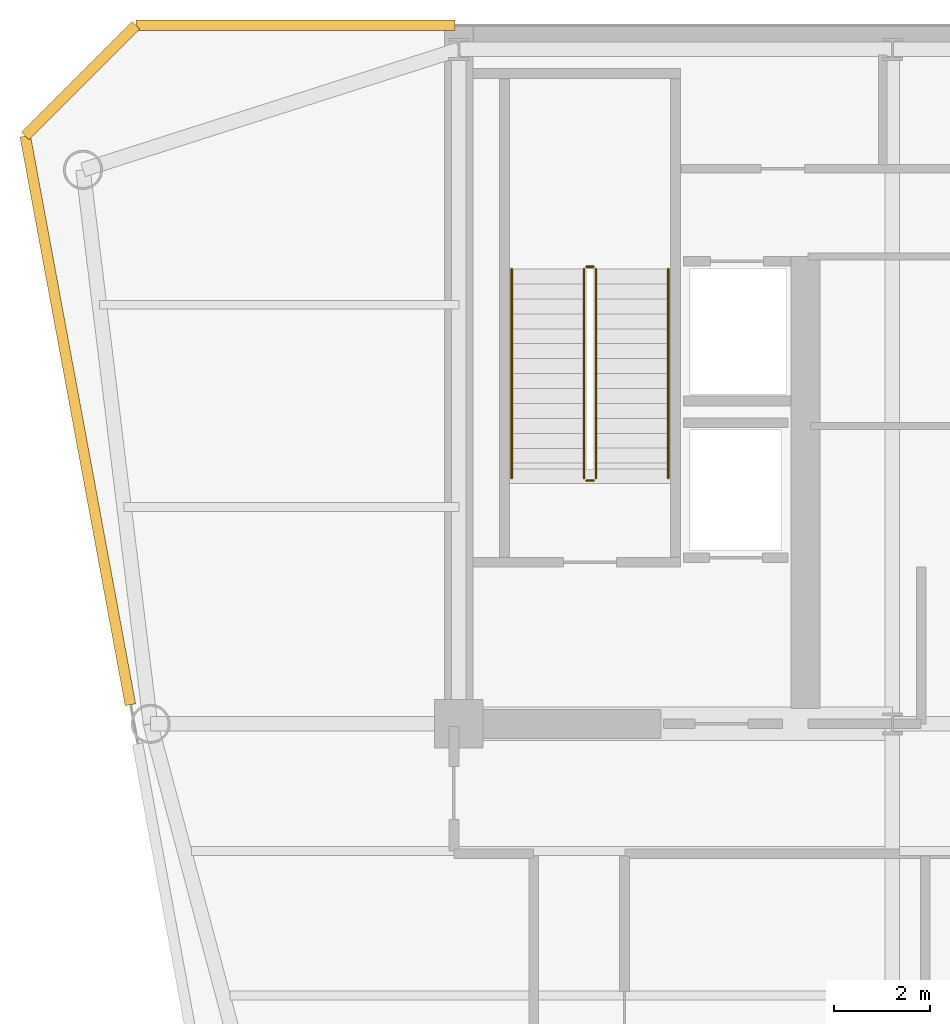
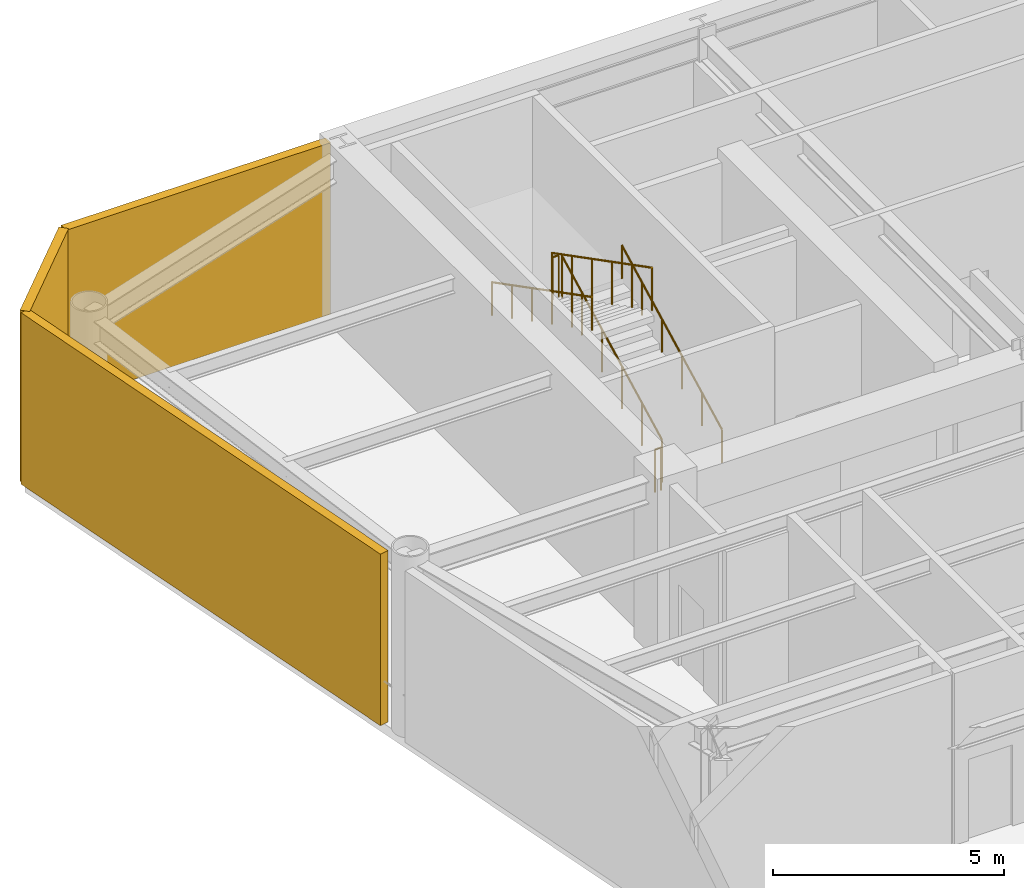
# One storey, part 8 of 9: 6 railings, 3 coverings.
"""IFC4 building model written with IfcOpenShell, lengths in metres."""

from ifc_helpers import new_model, si_unit, direction, frame, origin, origin_2d, place, context, subcontext, project, spatial, rectangle, circle, extrude, source, transform, mapped, material, layer, layer_set, type_object, element, save


model = new_model("IFC4")

# Units and contexts
model_context = context("Model", 3, precision=1e-05, world=origin(), true_north=direction((0.0, 1.0)))
body_context = subcontext(model_context, "Body", "Model", "MODEL_VIEW")
ifc_project = project(units=[si_unit("LENGTHUNIT", "METRE"), si_unit("AREAUNIT", "SQUARE_METRE"), si_unit("VOLUMEUNIT", "CUBIC_METRE"), si_unit("PLANEANGLEUNIT", "RADIAN"), si_unit("MASSUNIT", "GRAM", prefix="KILO")], contexts=[model_context])

# Site, building, storey
site_placement = place(None, origin())
site = spatial("IfcSite", under=ifc_project, at=site_placement, CompositionType="ELEMENT")
building_placement = place(site_placement, origin())
building = spatial("IfcBuilding", under=site, at=building_placement, Name="Vaeldorn Concourse Tower", CompositionType="ELEMENT")
storey_placement = place(building_placement, frame((0.0, 0.0, 218.39990234375)))
storey = spatial("IfcBuildingStorey", under=building, at=storey_placement, Name="L56", CompositionType="ELEMENT", Elevation=218.39990234375)

# Railings
ifc_material = material(Name="Anodised Bronze Aluminium", Category="aluminium")
railing_type_1 = type_object("IfcRailingType", Name="RL-STAIR-GUARD", PredefinedType="GUARDRAIL", material=ifc_material)
railing_1_placement = place(storey_placement, frame((16.85009765625, 41.60009765625, 0.16015625)))
element("IfcRailing", 1, at=railing_1_placement, inside=storey, type_object=railing_type_1, Name="L56 ST-1 stair guard 1", PredefinedType="GUARDRAIL", context=body_context, shape_type="SweptSolid", body=[
    extrude(circle(Radius=0.02392578125, at=origin_2d()), frame((0.0, 0.0, 1.1259765625), z_axis=(0.0, 0.888614742027, 0.458654379956), x_axis=(-1.0, 0.0, 0.0)), (0.0, 0.0, 1.0), 4.8837890625),
    extrude(circle(Radius=0.02099609375, at=origin_2d()), origin(), (0.0, 0.0, 1.0), 1.101806640625),
    extrude(circle(Radius=0.02099609375, at=origin_2d()), frame((0.0, 0.867919921875, 0.447998046875)), (0.0, 0.0, 1.0), 1.101806640625),
    extrude(circle(Radius=0.02099609375, at=origin_2d()), frame((0.0, 1.73583984375, 0.89599609375)), (0.0, 0.0, 1.0), 1.101806640625),
    extrude(circle(Radius=0.02099609375, at=origin_2d()), frame((0.0, 2.60400390625, 1.343994140625)), (0.0, 0.0, 1.0), 1.101806640625),
    extrude(circle(Radius=0.02099609375, at=origin_2d()), frame((0.0, 3.471923828125, 1.7919921875)), (0.0, 0.0, 1.0), 1.101806640625),
    extrude(circle(Radius=0.02099609375, at=origin_2d()), frame((0.0, 4.33984375, 2.239990234375)), (0.0, 0.0, 1.0), 1.101806640625),
])
railing_2_placement = place(storey_placement, frame((16.800048828125, 45.989990234375, 2.400146484375)))
element("IfcRailing", 2, at=railing_2_placement, inside=storey, type_object=railing_type_1, Name="L56 ST-1 stair guard 2", PredefinedType="GUARDRAIL", context=body_context, shape_type="SweptSolid", body=[
    extrude(circle(Radius=0.02392578125, at=origin_2d()), frame((0.0, 0.0, 1.1259765625), z_axis=(-1.0, 0.0, 0.0), x_axis=(0.0, -1.0, 0.0)), (0.0, 0.0, 1.0), 0.150146484375),
    extrude(circle(Radius=0.02099609375, at=origin_2d()), origin(), (0.0, 0.0, 1.0), 1.101806640625),
    extrude(circle(Radius=0.02099609375, at=origin_2d()), frame((-0.150146484375, 0.0, 0.0)), (0.0, 0.0, 1.0), 1.101806640625),
])
railing_3_placement = place(storey_placement, frame((16.60009765625, 45.93994140625, 2.56005859375)))
element("IfcRailing", 3, at=railing_3_placement, inside=storey, type_object=railing_type_1, Name="L56 ST-1 stair guard 3", PredefinedType="GUARDRAIL", context=body_context, shape_type="SweptSolid", body=[
    extrude(circle(Radius=0.02392578125, at=origin_2d()), frame((0.0, 0.0, 1.1259765625), z_axis=(0.0, -0.888614742027, 0.458654379956), x_axis=(1.0, 0.0, 0.0)), (0.0, 0.0, 1.0), 4.8837890625),
    extrude(circle(Radius=0.02099609375, at=origin_2d()), origin(), (0.0, 0.0, 1.0), 1.101806640625),
    extrude(circle(Radius=0.02099609375, at=origin_2d()), frame((0.0, -0.867919921875, 0.447998046875)), (0.0, 0.0, 1.0), 1.101806640625),
    extrude(circle(Radius=0.02099609375, at=origin_2d()), frame((0.0, -1.73583984375, 0.89599609375)), (0.0, 0.0, 1.0), 1.101806640625),
    extrude(circle(Radius=0.02099609375, at=origin_2d()), frame((0.0, -2.60400390625, 1.343994140625)), (0.0, 0.0, 1.0), 1.101806640625),
    extrude(circle(Radius=0.02099609375, at=origin_2d()), frame((0.0, -3.471923828125, 1.7919921875)), (0.0, 0.0, 1.0), 1.101806640625),
    extrude(circle(Radius=0.02099609375, at=origin_2d()), frame((0.0, -4.33984375, 2.239990234375)), (0.0, 0.0, 1.0), 1.101806640625),
])
railing_4_placement = place(storey_placement, frame((16.800048828125, 41.550048828125, 0.0)))
element("IfcRailing", 4, at=railing_4_placement, inside=storey, type_object=railing_type_1, Name="L56 ST-1 stair guard 4", PredefinedType="GUARDRAIL", context=body_context, shape_type="SweptSolid", body=[
    extrude(circle(Radius=0.02392578125, at=origin_2d()), frame((0.0, 0.0, 1.1259765625), z_axis=(-1.0, 0.0, 0.0), x_axis=(0.0, -1.0, 0.0)), (0.0, 0.0, 1.0), 0.150146484375),
    extrude(circle(Radius=0.02099609375, at=origin_2d()), origin(), (0.0, 0.0, 1.0), 1.101806640625),
    extrude(circle(Radius=0.02099609375, at=origin_2d()), frame((-0.150146484375, 0.0, 0.0)), (0.0, 0.0, 1.0), 1.101806640625),
])
railing_type_2 = type_object("IfcRailingType", Name="RL-STAIR-HANDRAIL", PredefinedType="HANDRAIL", material=ifc_material)
railing_5_placement = place(storey_placement, frame((18.35009765625, 41.60009765625, 0.16015625)))
element("IfcRailing", 5, at=railing_5_placement, inside=storey, type_object=railing_type_2, Name="L56 ST-1 stair handrail 1", PredefinedType="HANDRAIL", context=body_context, shape_type="SweptSolid", body=[
    extrude(circle(Radius=0.02392578125, at=origin_2d()), frame((0.0, 0.0, 0.8759765625), z_axis=(0.0, 0.888614742027, 0.458654379956), x_axis=(-1.0, 0.0, 0.0)), (0.0, 0.0, 1.0), 4.8837890625),
    extrude(circle(Radius=0.02099609375, at=origin_2d()), origin(), (0.0, 0.0, 1.0), 0.851806640625),
    extrude(circle(Radius=0.02099609375, at=origin_2d()), frame((0.0, 0.867919921875, 0.447998046875)), (0.0, 0.0, 1.0), 0.851806640625),
    extrude(circle(Radius=0.02099609375, at=origin_2d()), frame((0.0, 1.73583984375, 0.89599609375)), (0.0, 0.0, 1.0), 0.851806640625),
    extrude(circle(Radius=0.02099609375, at=origin_2d()), frame((0.0, 2.60400390625, 1.343994140625)), (0.0, 0.0, 1.0), 0.851806640625),
    extrude(circle(Radius=0.02099609375, at=origin_2d()), frame((0.0, 3.471923828125, 1.7919921875)), (0.0, 0.0, 1.0), 0.851806640625),
    extrude(circle(Radius=0.02099609375, at=origin_2d()), frame((0.0, 4.33984375, 2.239990234375)), (0.0, 0.0, 1.0), 0.851806640625),
])
railing_6_placement = place(storey_placement, frame((15.10009765625, 45.93994140625, 2.56005859375)))
element("IfcRailing", 6, at=railing_6_placement, inside=storey, type_object=railing_type_2, Name="L56 ST-1 stair handrail 2", PredefinedType="HANDRAIL", context=body_context, shape_type="SweptSolid", body=[
    extrude(circle(Radius=0.02392578125, at=origin_2d()), frame((0.0, 0.0, 0.8759765625), z_axis=(0.0, -0.888614742027, 0.458654379956), x_axis=(1.0, 0.0, 0.0)), (0.0, 0.0, 1.0), 4.8837890625),
    extrude(circle(Radius=0.02099609375, at=origin_2d()), origin(), (0.0, 0.0, 1.0), 0.851806640625),
    extrude(circle(Radius=0.02099609375, at=origin_2d()), frame((0.0, -0.867919921875, 0.447998046875)), (0.0, 0.0, 1.0), 0.851806640625),
    extrude(circle(Radius=0.02099609375, at=origin_2d()), frame((0.0, -1.73583984375, 0.89599609375)), (0.0, 0.0, 1.0), 0.851806640625),
    extrude(circle(Radius=0.02099609375, at=origin_2d()), frame((0.0, -2.60400390625, 1.343994140625)), (0.0, 0.0, 1.0), 0.851806640625),
    extrude(circle(Radius=0.02099609375, at=origin_2d()), frame((0.0, -3.471923828125, 1.7919921875)), (0.0, 0.0, 1.0), 0.851806640625),
    extrude(circle(Radius=0.02099609375, at=origin_2d()), frame((0.0, -4.33984375, 2.239990234375)), (0.0, 0.0, 1.0), 0.851806640625),
])

# Coverings
ifc_layer = layer(ifc_material, 1.60009765625)
ifc_layer_set = layer_set([ifc_layer], Name="Anodised Bronze Aluminium")
covering_type = type_object("IfcCoveringType", Name="SD-BRONZE-LOUVRE", PredefinedType="USERDEFINED", material=ifc_layer_set)
shared_shape_1 = source(origin(), body_context, "Body", "SweptSolid", [
    extrude(rectangle(XDim=3.252685546875, YDim=0.219970703125, at=origin_2d()), origin(), (0.0, 0.0, 1.0), 4.5400390625),
])
covering_1_placement = place(storey_placement, frame((6.14990234375, 49.85009765625, 0.0), z_axis=(0.0, 0.0, 1.0), x_axis=(-0.707106781187, -0.707106781187, 0.0)))
element("IfcCovering", 7, at=covering_1_placement, inside=storey, type_object=covering_type, Name="Refuge Band Bronze Acoustic Louvre L56-10.1", ObjectType="LOUVRE", PredefinedType="USERDEFINED", context=body_context, shape_type="MappedRepresentation", body=[
    mapped(shared_shape_1, transform((0.0, 0.0, 0.0), scale=1.0)),
])
shared_shape_2 = source(origin(), body_context, "Body", "SweptSolid", [
    extrude(rectangle(XDim=6.6201171875, YDim=0.219970703125, at=origin_2d()), origin(), (0.0, 0.0, 1.0), 4.5400390625),
])
covering_2_placement = place(storey_placement, frame((10.610107421875, 51.0, 0.0), z_axis=(0.0, 0.0, 1.0), x_axis=(-1.0, 0.0, 0.0)))
element("IfcCovering", 8, at=covering_2_placement, inside=storey, type_object=covering_type, Name="Refuge Band Bronze Acoustic Louvre L56-09.2", ObjectType="LOUVRE", PredefinedType="USERDEFINED", context=body_context, shape_type="MappedRepresentation", body=[
    mapped(shared_shape_2, transform((0.0, 0.0, 0.0), scale=1.0)),
])
shared_shape_3 = source(origin(), body_context, "Body", "SweptSolid", [
    extrude(rectangle(XDim=12.004638671875, YDim=0.219970703125, at=origin_2d()), origin(), (0.0, 0.0, 1.0), 4.5400390625),
])
covering_3_placement = place(storey_placement, frame((6.091796875, 42.7978515625, 0.0), z_axis=(0.0, 0.0, 1.0), x_axis=(0.181892293686, -0.983318459858, 0.0)))
element("IfcCovering", 9, at=covering_3_placement, inside=storey, type_object=covering_type, Name="Refuge Band Bronze Acoustic Louvre L56-11.1", ObjectType="LOUVRE", PredefinedType="USERDEFINED", context=body_context, shape_type="MappedRepresentation", body=[
    mapped(shared_shape_3, transform((0.0, 0.0, 0.0), scale=1.0)),
])

save(model, "model.ifc")
